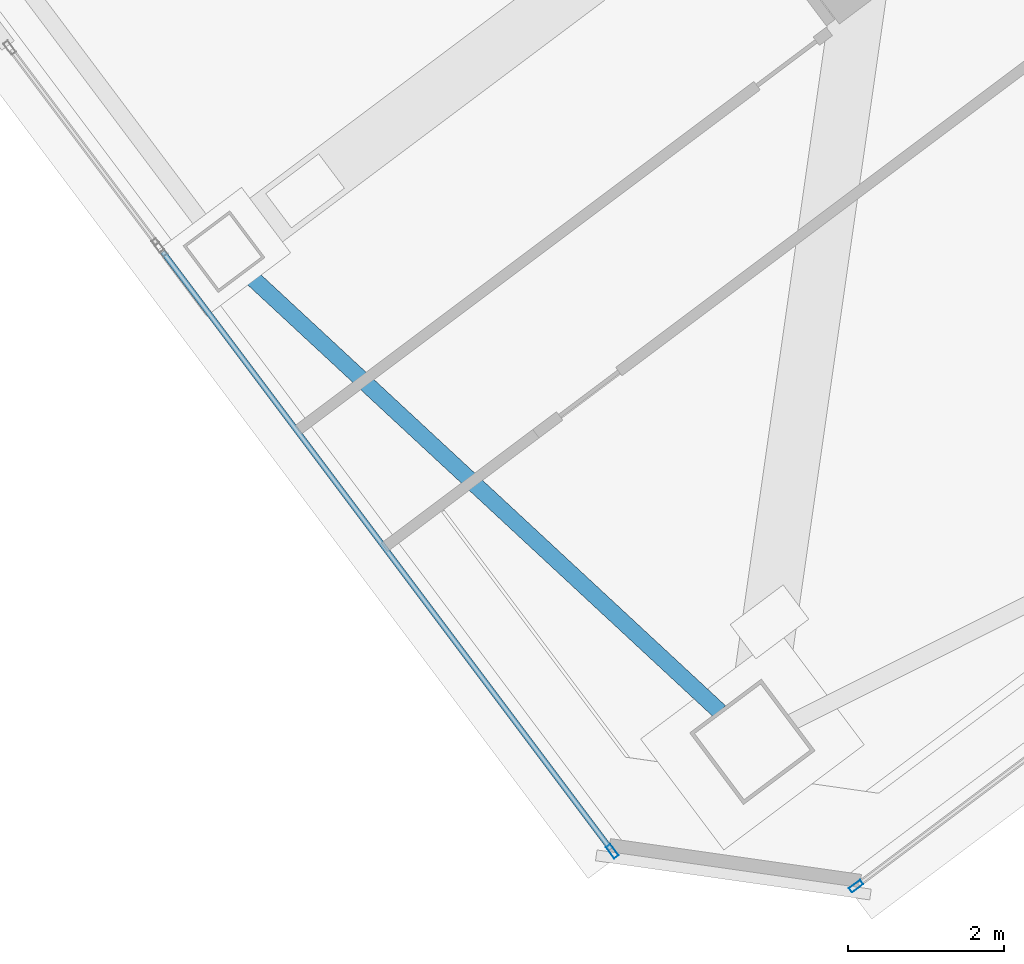
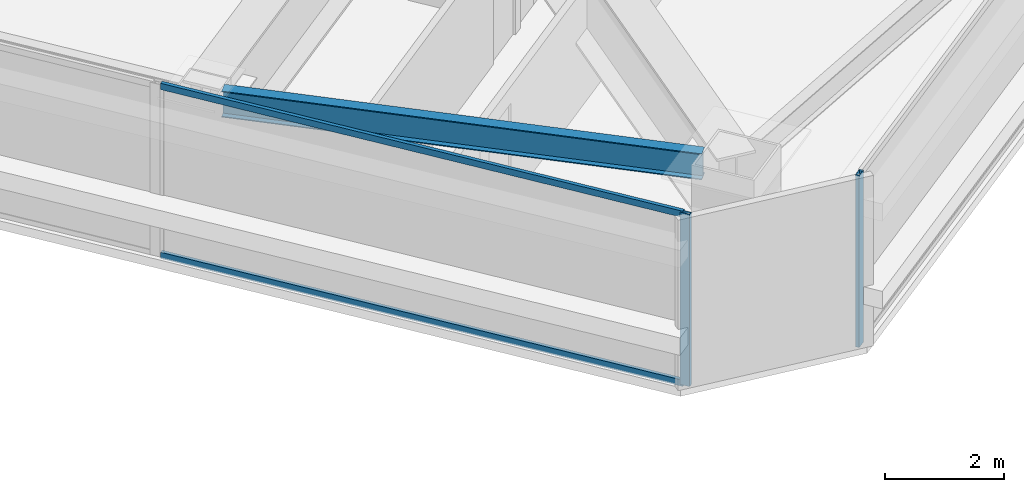
# One storey, part 17 of 42: 4 members, 1 beam, 2 elements without a shape of their own.
"""IFC4 building model written with IfcOpenShell, lengths in metres."""

from ifc_helpers import new_model, si_unit, direction, frame, origin, origin_2d, place, context, subcontext, project, spatial, hollow_rectangle, i_section, extrude, material, material_profile, profile_set, type_object, element, aggregate, save


model = new_model("IFC4")

# Units and contexts
model_context = context("Model", 3, precision=1e-05, world=origin(), true_north=direction((0.0, 1.0)))
body_context = subcontext(model_context, "Body", "Model", "MODEL_VIEW")
ifc_project = project(units=[si_unit("LENGTHUNIT", "METRE"), si_unit("AREAUNIT", "SQUARE_METRE"), si_unit("VOLUMEUNIT", "CUBIC_METRE"), si_unit("PLANEANGLEUNIT", "RADIAN"), si_unit("MASSUNIT", "GRAM", prefix="KILO")], contexts=[model_context])

# Site, building, storey
site_placement = place(None, origin())
site = spatial("IfcSite", under=ifc_project, at=site_placement, CompositionType="ELEMENT")
building_placement = place(site_placement, origin())
building = spatial("IfcBuilding", under=site, at=building_placement, Name="Tashvorn Skyway Center", CompositionType="ELEMENT")
storey_placement = place(building_placement, frame((0.0, 0.0, 196.050048828125)))
storey = spatial("IfcBuildingStorey", under=building, at=storey_placement, Name="L53", CompositionType="ELEMENT", Elevation=196.050048828125)

# Beam
ifc_material_1 = material(Name="Steel ASTM A992 Grade 50", Category="steel")
ifc_material_profile_1 = material_profile(ifc_material_1, i_section(OverallWidth=0.2109375, OverallDepth=0.5390625, WebThickness=0.01171875, FlangeThickness=0.018798828125, at=origin_2d()), Name="W21X73")
ifc_profile_set_1 = profile_set([ifc_material_profile_1], Name="Steel ASTM A992 Grade 50")
beam_type = type_object("IfcBeamType", Name="BM-SPANDREL-W21X73", PredefinedType="SPANDREL", material=ifc_profile_set_1)
beam_placement = place(storey_placement, frame((104.59130859375, 17.73828125, 2.98046875), z_axis=(0.733101115618, -0.680119661736, 0.0), x_axis=(0.680119661736, 0.733101115618, 0.0)))
element("IfcBeam", 1, at=beam_placement, inside=storey, type_object=beam_type, Name="Tower 2 L53 Spandrel Beam 12", PredefinedType="SPANDREL", context=body_context, shape_type="SweptSolid", body=[
    extrude(i_section(OverallWidth=0.2109375, OverallDepth=0.5390625, WebThickness=0.01171875, FlangeThickness=0.018798828125, at=origin_2d()), origin(), (0.0, 0.0, 1.0), 8.308349609375),
])

# Curtain wall, member
ifc_material_2 = material(Name="Thermally broken bronze-anodized aluminium 6063-T6", Category="aluminium")
curtain_wall_type = type_object("IfcCurtainWallType", Name="CW-CW-Z4", PredefinedType="NOTDEFINED", material=ifc_material_2)
curtain_wall_1_placement = place(storey_placement, origin())
curtain_wall_1 = element("IfcCurtainWall", 2, at=curtain_wall_1_placement, inside=storey, type_object=curtain_wall_type, Name="Tower 2 L53 South Unitised Curtain Wall Glazing Group 4", PredefinedType="NOTDEFINED")
ifc_material_profile_2 = material_profile(ifc_material_2, hollow_rectangle(XDim=0.070068359375, YDim=0.179931640625, WallThickness=0.00390625, at=origin_2d()), Name="ALU-MULL-70x180")
ifc_profile_set_2 = profile_set([ifc_material_profile_2], Name="Thermally broken bronze-anodized aluminium 6063-T6")
member_type_1 = type_object("IfcMemberType", Name="CWM-CW-Z4", PredefinedType="MULLION", material=ifc_profile_set_2)
member_1_placement = place(storey_placement, frame((112.431884765625, 9.84912109375, 0.0), z_axis=(0.0, 0.0, 1.0), x_axis=(0.600000000002, -0.799999999998, 0.0)))
member_1 = element("IfcMember", 3, at=member_1_placement, type_object=member_type_1, Name="CW-Z4 mullion 2", PredefinedType="MULLION", context=body_context, shape_type="SweptSolid", body=[
    extrude(hollow_rectangle(XDim=0.070068359375, YDim=0.179931640625, WallThickness=0.00390625, at=origin_2d()), origin(), (0.0, 0.0, 1.0), 3.550048828125),
])
aggregate(curtain_wall_1, [member_1])

# Curtain wall, members
curtain_wall_2_placement = place(storey_placement, origin())
curtain_wall_2 = element("IfcCurtainWall", 4, at=curtain_wall_2_placement, inside=storey, type_object=curtain_wall_type, Name="Tower 2 L53 West Unitised Curtain Wall Glazing Group 1", PredefinedType="NOTDEFINED")
member_2_placement = place(storey_placement, frame((109.302978515625, 10.2958984375, 0.0), z_axis=(0.0, 0.0, 1.0), x_axis=(-0.799999999998, -0.600000000002, 0.0)))
member_2 = element("IfcMember", 5, at=member_2_placement, type_object=member_type_1, Name="CW-Z4 mullion 1", PredefinedType="MULLION", context=body_context, shape_type="SweptSolid", body=[
    extrude(hollow_rectangle(XDim=0.070068359375, YDim=0.179931640625, WallThickness=0.00390625, at=origin_2d()), origin(), (0.0, 0.0, 1.0), 3.550048828125),
])
ifc_material_profile_3 = material_profile(ifc_material_2, hollow_rectangle(XDim=0.070068359375, YDim=0.1298828125, WallThickness=0.00390625, at=origin_2d()), Name="ALU-TRAN-70x130")
ifc_profile_set_3 = profile_set([ifc_material_profile_3], Name="Thermally broken bronze-anodized aluminium 6063-T6")
member_type_2 = type_object("IfcMemberType", Name="CWT-CW-Z4", PredefinedType="USERDEFINED", material=ifc_profile_set_3)
member_3_placement = place(storey_placement, frame((109.281982421875, 10.323974609375, 0.034912109375), z_axis=(-0.6, 0.8, 0.0), x_axis=(-0.8, -0.6, 0.0)))
member_3 = element("IfcMember", 6, at=member_3_placement, type_object=member_type_2, Name="CW-Z4 transom 1.1", ObjectType="TRANSOM", PredefinedType="USERDEFINED", context=body_context, shape_type="SweptSolid", body=[
    extrude(hollow_rectangle(XDim=0.070068359375, YDim=0.1298828125, WallThickness=0.00390625, at=origin_2d()), origin(), (0.0, 0.0, 1.0), 9.580078125),
])
member_4_placement = place(storey_placement, frame((109.281982421875, 10.323974609375, 3.514892578125), z_axis=(-0.6, 0.8, 0.0), x_axis=(-0.8, -0.6, 0.0)))
member_4 = element("IfcMember", 7, at=member_4_placement, type_object=member_type_2, Name="CW-Z4 transom 1.2", ObjectType="TRANSOM", PredefinedType="USERDEFINED", context=body_context, shape_type="SweptSolid", body=[
    extrude(hollow_rectangle(XDim=0.070068359375, YDim=0.1298828125, WallThickness=0.00390625, at=origin_2d()), origin(), (0.0, 0.0, 1.0), 9.580078125),
])
aggregate(curtain_wall_2, [member_2, member_3, member_4])

save(model, "model.ifc")
